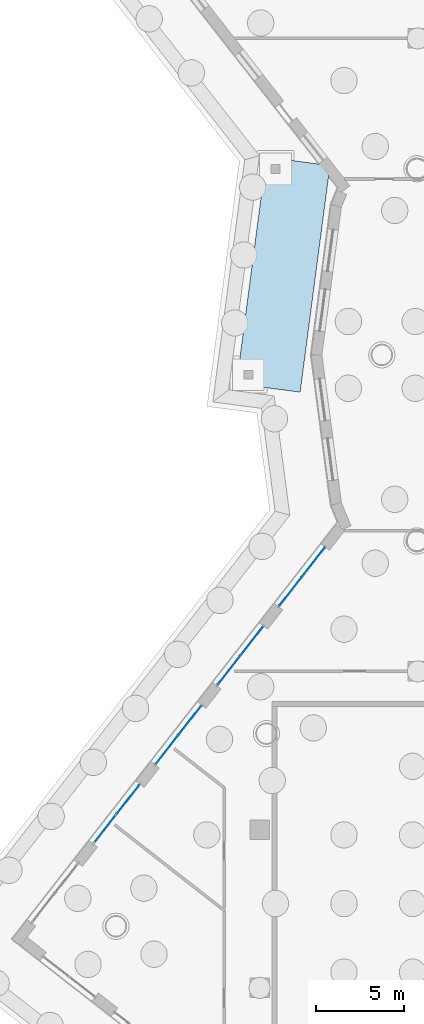
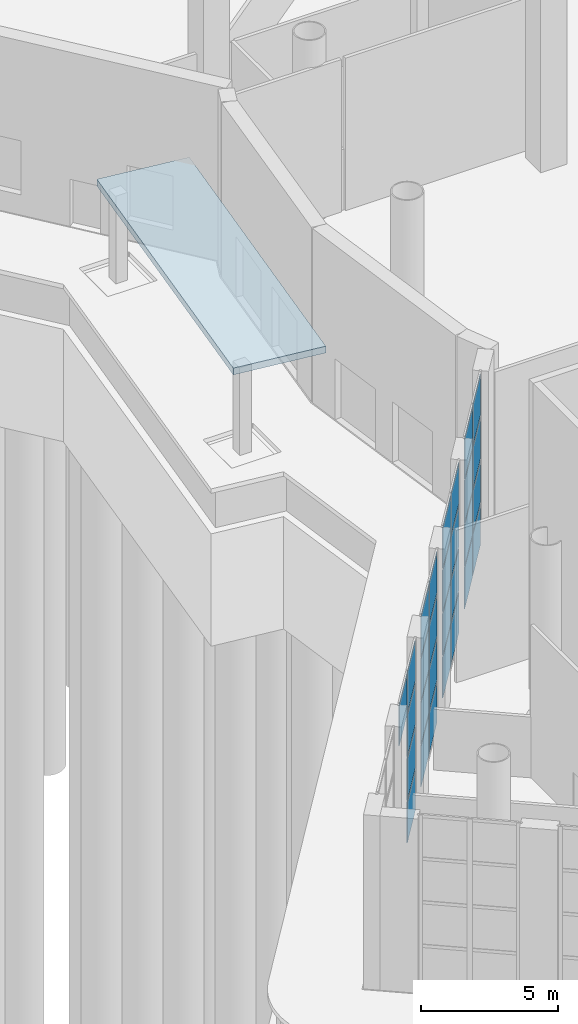
# One storey, part 8 of 34: 29 plates, 1 slab, 4 elements without a shape of their own.
"""IFC4 building model written with IfcOpenShell, lengths in metres."""

from ifc_helpers import new_model, si_unit, direction, frame, origin, origin_2d, place, context, subcontext, project, spatial, polyline, rectangle, outline, extrude, material, layer, layer_set, type_object, element, aggregate, save


model = new_model("IFC4")

# Units and contexts
model_context = context("Model", 3, precision=1e-05, world=origin(), true_north=direction((0.0, 1.0)))
body_context = subcontext(model_context, "Body", "Model", "MODEL_VIEW")
ifc_project = project(units=[si_unit("LENGTHUNIT", "METRE"), si_unit("AREAUNIT", "SQUARE_METRE"), si_unit("VOLUMEUNIT", "CUBIC_METRE"), si_unit("PLANEANGLEUNIT", "RADIAN"), si_unit("MASSUNIT", "GRAM", prefix="KILO")], contexts=[model_context])

# Site, building, storey
site_placement = place(None, origin())
site = spatial("IfcSite", under=ifc_project, at=site_placement, CompositionType="ELEMENT")
building_placement = place(site_placement, origin())
building = spatial("IfcBuilding", under=site, at=building_placement, Name="Tarsis Ring Headquarters", CompositionType="ELEMENT")
storey_placement = place(building_placement, origin())
storey = spatial("IfcBuildingStorey", under=building, at=storey_placement, Name="L00", CompositionType="ELEMENT", Elevation=0.0)

# Slab
ifc_material_1 = material(Name="Concrete C40/50", Category="concrete")
ifc_layer = layer(ifc_material_1, 0.300048828125)
ifc_layer_set = layer_set([ifc_layer], Name="PO-CANOPY")
slab_type = type_object("IfcSlabType", Name="PO-CANOPY", PredefinedType="ROOF", material=ifc_layer_set)
slab_placement = place(storey_placement, frame((0.0, 0.0, 3.699951171875)))
element("IfcSlab", 1, at=slab_placement, inside=storey, type_object=slab_type, Name="Main entrance canopy", PredefinedType="ROOF", context=body_context, shape_type="SweptSolid", body=[
    extrude(outline(polyline([(-31.995849609375, 10.768310546875), (-35.614501953125, 11.244873046875), (-37.311279296875, -1.64404296875), (-33.692626953125, -2.120361328125), (-31.995849609375, 10.768310546875)])), origin(), (0.0, 0.0, 1.0), 0.300048828125),
])

# Curtain wall, plates
ifc_material_2 = material(Name="Aluminium and glass", Category="aluminium")
curtain_wall_type = type_object("IfcCurtainWallType", Name="PO-CW1", PredefinedType="NOTDEFINED", material=ifc_material_2)
curtain_wall_1_placement = place(storey_placement, origin())
curtain_wall_1 = element("IfcCurtainWall", 2, at=curtain_wall_1_placement, inside=storey, type_object=curtain_wall_type, Name="Shopfront curtain wall 6.1", PredefinedType="NOTDEFINED")
ifc_material_3 = material(Name="Insulated glass", Category="glass")
plate_type = type_object("IfcPlateType", Name="PO-CW1P", PredefinedType="CURTAIN_PANEL", material=ifc_material_3)
plate_1_placement = place(storey_placement, frame((-32.94189453125, -11.789794921875, 0.080078125), z_axis=(0.0, 0.0, 1.0), x_axis=(-0.615661504964, -0.788010730451, 0.0)))
plate_1 = element("IfcPlate", 3, at=plate_1_placement, type_object=plate_type, Name="CW-P1 panel 1.1", PredefinedType="CURTAIN_PANEL", context=body_context, shape_type="SweptSolid", body=[
    extrude(rectangle(XDim=2.032470703125, YDim=0.028076171875, at=origin_2d()), origin(), (0.0, 0.0, 1.0), 1.8173828125),
])
plate_2_placement = place(storey_placement, frame((-32.94189453125, -11.789794921875, 1.9775390625), z_axis=(0.0, 0.0, 1.0), x_axis=(-0.615661504964, -0.788010730451, 0.0)))
plate_2 = element("IfcPlate", 4, at=plate_2_placement, type_object=plate_type, Name="CW-P1 panel 1.2", PredefinedType="CURTAIN_PANEL", context=body_context, shape_type="SweptSolid", body=[
    extrude(rectangle(XDim=2.032470703125, YDim=0.028076171875, at=origin_2d()), origin(), (0.0, 0.0, 1.0), 1.857421875),
])
plate_3_placement = place(storey_placement, frame((-32.94189453125, -11.789794921875, 3.9150390625), z_axis=(0.0, 0.0, 1.0), x_axis=(-0.615661504964, -0.788010730451, 0.0)))
plate_3 = element("IfcPlate", 5, at=plate_3_placement, type_object=plate_type, Name="CW-P1 panel 1.3", PredefinedType="CURTAIN_PANEL", context=body_context, shape_type="SweptSolid", body=[
    extrude(rectangle(XDim=2.032470703125, YDim=0.028076171875, at=origin_2d()), origin(), (0.0, 0.0, 1.0), 1.857421875),
])
plate_4_placement = place(storey_placement, frame((-32.94189453125, -11.789794921875, 5.8525390625), z_axis=(0.0, 0.0, 1.0), x_axis=(-0.615661504964, -0.788010730451, 0.0)))
plate_4 = element("IfcPlate", 6, at=plate_4_placement, type_object=plate_type, Name="CW-P1 panel 1.4", PredefinedType="CURTAIN_PANEL", context=body_context, shape_type="SweptSolid", body=[
    extrude(rectangle(XDim=2.032470703125, YDim=0.028076171875, at=origin_2d()), origin(), (0.0, 0.0, 1.0), 1.8173828125),
])
plate_5_placement = place(storey_placement, frame((-34.242431640625, -13.45458984375, 0.080078125), z_axis=(0.0, 0.0, 1.0), x_axis=(-0.615661504964, -0.788010730451, 0.0)))
plate_5 = element("IfcPlate", 7, at=plate_5_placement, type_object=plate_type, Name="CW-P1 panel 2.1", PredefinedType="CURTAIN_PANEL", context=body_context, shape_type="SweptSolid", body=[
    extrude(rectangle(XDim=2.032470703125, YDim=0.028076171875, at=origin_2d()), origin(), (0.0, 0.0, 1.0), 1.8173828125),
])
plate_6_placement = place(storey_placement, frame((-34.242431640625, -13.45458984375, 1.9775390625), z_axis=(0.0, 0.0, 1.0), x_axis=(-0.615661504964, -0.788010730451, 0.0)))
plate_6 = element("IfcPlate", 8, at=plate_6_placement, type_object=plate_type, Name="CW-P1 panel 2.2", PredefinedType="CURTAIN_PANEL", context=body_context, shape_type="SweptSolid", body=[
    extrude(rectangle(XDim=2.032470703125, YDim=0.028076171875, at=origin_2d()), origin(), (0.0, 0.0, 1.0), 1.857421875),
])
plate_7_placement = place(storey_placement, frame((-34.242431640625, -13.45458984375, 3.9150390625), z_axis=(0.0, 0.0, 1.0), x_axis=(-0.615661504964, -0.788010730451, 0.0)))
plate_7 = element("IfcPlate", 9, at=plate_7_placement, type_object=plate_type, Name="CW-P1 panel 2.3", PredefinedType="CURTAIN_PANEL", context=body_context, shape_type="SweptSolid", body=[
    extrude(rectangle(XDim=2.032470703125, YDim=0.028076171875, at=origin_2d()), origin(), (0.0, 0.0, 1.0), 1.857421875),
])
plate_8_placement = place(storey_placement, frame((-34.242431640625, -13.45458984375, 5.8525390625), z_axis=(0.0, 0.0, 1.0), x_axis=(-0.615661504964, -0.788010730451, 0.0)))
plate_8 = element("IfcPlate", 10, at=plate_8_placement, type_object=plate_type, Name="CW-P1 panel 2.4", PredefinedType="CURTAIN_PANEL", context=body_context, shape_type="SweptSolid", body=[
    extrude(rectangle(XDim=2.032470703125, YDim=0.028076171875, at=origin_2d()), origin(), (0.0, 0.0, 1.0), 1.8173828125),
])
aggregate(curtain_wall_1, [plate_1, plate_2, plate_3, plate_4, plate_5, plate_6, plate_7, plate_8])

curtain_wall_2_placement = place(storey_placement, origin())
curtain_wall_2 = element("IfcCurtainWall", 11, at=curtain_wall_2_placement, inside=storey, type_object=curtain_wall_type, Name="Shopfront curtain wall 6.2", PredefinedType="NOTDEFINED")
plate_9_placement = place(storey_placement, frame((-36.4541015625, -16.285400390625, 0.080078125), z_axis=(0.0, 0.0, 1.0), x_axis=(-0.615661392269, -0.788010818498, 0.0)))
plate_9 = element("IfcPlate", 12, at=plate_9_placement, type_object=plate_type, Name="CW-P1 panel 1.1", PredefinedType="CURTAIN_PANEL", context=body_context, shape_type="SweptSolid", body=[
    extrude(rectangle(XDim=2.032470703125, YDim=0.028076171875, at=origin_2d()), origin(), (0.0, 0.0, 1.0), 1.8173828125),
])
plate_10_placement = place(storey_placement, frame((-36.4541015625, -16.285400390625, 1.9775390625), z_axis=(0.0, 0.0, 1.0), x_axis=(-0.615661392269, -0.788010818498, 0.0)))
plate_10 = element("IfcPlate", 13, at=plate_10_placement, type_object=plate_type, Name="CW-P1 panel 1.2", PredefinedType="CURTAIN_PANEL", context=body_context, shape_type="SweptSolid", body=[
    extrude(rectangle(XDim=2.032470703125, YDim=0.028076171875, at=origin_2d()), origin(), (0.0, 0.0, 1.0), 1.857421875),
])
plate_11_placement = place(storey_placement, frame((-36.4541015625, -16.285400390625, 3.9150390625), z_axis=(0.0, 0.0, 1.0), x_axis=(-0.615661392269, -0.788010818498, 0.0)))
plate_11 = element("IfcPlate", 14, at=plate_11_placement, type_object=plate_type, Name="CW-P1 panel 1.3", PredefinedType="CURTAIN_PANEL", context=body_context, shape_type="SweptSolid", body=[
    extrude(rectangle(XDim=2.032470703125, YDim=0.028076171875, at=origin_2d()), origin(), (0.0, 0.0, 1.0), 1.857421875),
])
plate_12_placement = place(storey_placement, frame((-36.4541015625, -16.285400390625, 5.8525390625), z_axis=(0.0, 0.0, 1.0), x_axis=(-0.615661392269, -0.788010818498, 0.0)))
plate_12 = element("IfcPlate", 15, at=plate_12_placement, type_object=plate_type, Name="CW-P1 panel 1.4", PredefinedType="CURTAIN_PANEL", context=body_context, shape_type="SweptSolid", body=[
    extrude(rectangle(XDim=2.032470703125, YDim=0.028076171875, at=origin_2d()), origin(), (0.0, 0.0, 1.0), 1.8173828125),
])
plate_13_placement = place(storey_placement, frame((-37.754638671875, -17.949951171875, 0.080078125), z_axis=(0.0, 0.0, 1.0), x_axis=(-0.615661392269, -0.788010818498, 0.0)))
plate_13 = element("IfcPlate", 16, at=plate_13_placement, type_object=plate_type, Name="CW-P1 panel 2.1", PredefinedType="CURTAIN_PANEL", context=body_context, shape_type="SweptSolid", body=[
    extrude(rectangle(XDim=2.032470703125, YDim=0.028076171875, at=origin_2d()), origin(), (0.0, 0.0, 1.0), 1.8173828125),
])
plate_14_placement = place(storey_placement, frame((-37.754638671875, -17.949951171875, 1.9775390625), z_axis=(0.0, 0.0, 1.0), x_axis=(-0.615661392269, -0.788010818498, 0.0)))
plate_14 = element("IfcPlate", 17, at=plate_14_placement, type_object=plate_type, Name="CW-P1 panel 2.2", PredefinedType="CURTAIN_PANEL", context=body_context, shape_type="SweptSolid", body=[
    extrude(rectangle(XDim=2.032470703125, YDim=0.028076171875, at=origin_2d()), origin(), (0.0, 0.0, 1.0), 1.857421875),
])
plate_15_placement = place(storey_placement, frame((-37.754638671875, -17.949951171875, 3.9150390625), z_axis=(0.0, 0.0, 1.0), x_axis=(-0.615661392269, -0.788010818498, 0.0)))
plate_15 = element("IfcPlate", 18, at=plate_15_placement, type_object=plate_type, Name="CW-P1 panel 2.3", PredefinedType="CURTAIN_PANEL", context=body_context, shape_type="SweptSolid", body=[
    extrude(rectangle(XDim=2.032470703125, YDim=0.028076171875, at=origin_2d()), origin(), (0.0, 0.0, 1.0), 1.857421875),
])
plate_16_placement = place(storey_placement, frame((-37.754638671875, -17.949951171875, 5.8525390625), z_axis=(0.0, 0.0, 1.0), x_axis=(-0.615661392269, -0.788010818498, 0.0)))
plate_16 = element("IfcPlate", 19, at=plate_16_placement, type_object=plate_type, Name="CW-P1 panel 2.4", PredefinedType="CURTAIN_PANEL", context=body_context, shape_type="SweptSolid", body=[
    extrude(rectangle(XDim=2.032470703125, YDim=0.028076171875, at=origin_2d()), origin(), (0.0, 0.0, 1.0), 1.8173828125),
])
aggregate(curtain_wall_2, [plate_9, plate_10, plate_11, plate_12, plate_13, plate_14, plate_15, plate_16])

curtain_wall_3_placement = place(storey_placement, origin())
curtain_wall_3 = element("IfcCurtainWall", 20, at=curtain_wall_3_placement, inside=storey, type_object=curtain_wall_type, Name="Shopfront curtain wall 6.3", PredefinedType="NOTDEFINED")
plate_17_placement = place(storey_placement, frame((-39.966552734375, -20.781005859375, 0.080078125), z_axis=(0.0, 0.0, 1.0), x_axis=(-0.615661504964, -0.788010730451, 0.0)))
plate_17 = element("IfcPlate", 21, at=plate_17_placement, type_object=plate_type, Name="CW-P1 panel 1.1", PredefinedType="CURTAIN_PANEL", context=body_context, shape_type="SweptSolid", body=[
    extrude(rectangle(XDim=2.032470703125, YDim=0.028076171875, at=origin_2d()), origin(), (0.0, 0.0, 1.0), 1.8173828125),
])
plate_18_placement = place(storey_placement, frame((-39.966552734375, -20.781005859375, 1.9775390625), z_axis=(0.0, 0.0, 1.0), x_axis=(-0.615661504964, -0.788010730451, 0.0)))
plate_18 = element("IfcPlate", 22, at=plate_18_placement, type_object=plate_type, Name="CW-P1 panel 1.2", PredefinedType="CURTAIN_PANEL", context=body_context, shape_type="SweptSolid", body=[
    extrude(rectangle(XDim=2.032470703125, YDim=0.028076171875, at=origin_2d()), origin(), (0.0, 0.0, 1.0), 1.857421875),
])
plate_19_placement = place(storey_placement, frame((-39.966552734375, -20.781005859375, 3.9150390625), z_axis=(0.0, 0.0, 1.0), x_axis=(-0.615661504964, -0.788010730451, 0.0)))
plate_19 = element("IfcPlate", 23, at=plate_19_placement, type_object=plate_type, Name="CW-P1 panel 1.3", PredefinedType="CURTAIN_PANEL", context=body_context, shape_type="SweptSolid", body=[
    extrude(rectangle(XDim=2.032470703125, YDim=0.028076171875, at=origin_2d()), origin(), (0.0, 0.0, 1.0), 1.857421875),
])
plate_20_placement = place(storey_placement, frame((-39.966552734375, -20.781005859375, 5.8525390625), z_axis=(0.0, 0.0, 1.0), x_axis=(-0.615661504964, -0.788010730451, 0.0)))
plate_20 = element("IfcPlate", 24, at=plate_20_placement, type_object=plate_type, Name="CW-P1 panel 1.4", PredefinedType="CURTAIN_PANEL", context=body_context, shape_type="SweptSolid", body=[
    extrude(rectangle(XDim=2.032470703125, YDim=0.028076171875, at=origin_2d()), origin(), (0.0, 0.0, 1.0), 1.8173828125),
])
plate_21_placement = place(storey_placement, frame((-41.26708984375, -22.445556640625, 0.080078125), z_axis=(0.0, 0.0, 1.0), x_axis=(-0.615661504964, -0.788010730451, 0.0)))
plate_21 = element("IfcPlate", 25, at=plate_21_placement, type_object=plate_type, Name="CW-P1 panel 2.1", PredefinedType="CURTAIN_PANEL", context=body_context, shape_type="SweptSolid", body=[
    extrude(rectangle(XDim=2.032470703125, YDim=0.028076171875, at=origin_2d()), origin(), (0.0, 0.0, 1.0), 1.8173828125),
])
plate_22_placement = place(storey_placement, frame((-41.26708984375, -22.445556640625, 1.9775390625), z_axis=(0.0, 0.0, 1.0), x_axis=(-0.615661504964, -0.788010730451, 0.0)))
plate_22 = element("IfcPlate", 26, at=plate_22_placement, type_object=plate_type, Name="CW-P1 panel 2.2", PredefinedType="CURTAIN_PANEL", context=body_context, shape_type="SweptSolid", body=[
    extrude(rectangle(XDim=2.032470703125, YDim=0.028076171875, at=origin_2d()), origin(), (0.0, 0.0, 1.0), 1.857421875),
])
plate_23_placement = place(storey_placement, frame((-41.26708984375, -22.445556640625, 3.9150390625), z_axis=(0.0, 0.0, 1.0), x_axis=(-0.615661504964, -0.788010730451, 0.0)))
plate_23 = element("IfcPlate", 27, at=plate_23_placement, type_object=plate_type, Name="CW-P1 panel 2.3", PredefinedType="CURTAIN_PANEL", context=body_context, shape_type="SweptSolid", body=[
    extrude(rectangle(XDim=2.032470703125, YDim=0.028076171875, at=origin_2d()), origin(), (0.0, 0.0, 1.0), 1.857421875),
])
plate_24_placement = place(storey_placement, frame((-41.26708984375, -22.445556640625, 5.8525390625), z_axis=(0.0, 0.0, 1.0), x_axis=(-0.615661504964, -0.788010730451, 0.0)))
plate_24 = element("IfcPlate", 28, at=plate_24_placement, type_object=plate_type, Name="CW-P1 panel 2.4", PredefinedType="CURTAIN_PANEL", context=body_context, shape_type="SweptSolid", body=[
    extrude(rectangle(XDim=2.032470703125, YDim=0.028076171875, at=origin_2d()), origin(), (0.0, 0.0, 1.0), 1.8173828125),
])
aggregate(curtain_wall_3, [plate_17, plate_18, plate_19, plate_20, plate_21, plate_22, plate_23, plate_24])

curtain_wall_4_placement = place(storey_placement, origin())
curtain_wall_4 = element("IfcCurtainWall", 29, at=curtain_wall_4_placement, inside=storey, type_object=curtain_wall_type, Name="Shopfront curtain wall 6.4", PredefinedType="NOTDEFINED")
plate_25_placement = place(storey_placement, frame((-43.478759765625, -25.2763671875, 0.080078125), z_axis=(0.0, 0.0, 1.0), x_axis=(-0.615661392269, -0.788010818498, 0.0)))
plate_25 = element("IfcPlate", 30, at=plate_25_placement, type_object=plate_type, Name="CW-P1 panel 1.1", PredefinedType="CURTAIN_PANEL", context=body_context, shape_type="SweptSolid", body=[
    extrude(rectangle(XDim=2.032470703125, YDim=0.028076171875, at=origin_2d()), origin(), (0.0, 0.0, 1.0), 1.8173828125),
])
plate_26_placement = place(storey_placement, frame((-43.478759765625, -25.2763671875, 1.9775390625), z_axis=(0.0, 0.0, 1.0), x_axis=(-0.615661392269, -0.788010818498, 0.0)))
plate_26 = element("IfcPlate", 31, at=plate_26_placement, type_object=plate_type, Name="CW-P1 panel 1.2", PredefinedType="CURTAIN_PANEL", context=body_context, shape_type="SweptSolid", body=[
    extrude(rectangle(XDim=2.032470703125, YDim=0.028076171875, at=origin_2d()), origin(), (0.0, 0.0, 1.0), 1.857421875),
])
plate_27_placement = place(storey_placement, frame((-43.478759765625, -25.2763671875, 3.9150390625), z_axis=(0.0, 0.0, 1.0), x_axis=(-0.615661392269, -0.788010818498, 0.0)))
plate_27 = element("IfcPlate", 32, at=plate_27_placement, type_object=plate_type, Name="CW-P1 panel 1.3", PredefinedType="CURTAIN_PANEL", context=body_context, shape_type="SweptSolid", body=[
    extrude(rectangle(XDim=2.032470703125, YDim=0.028076171875, at=origin_2d()), origin(), (0.0, 0.0, 1.0), 1.857421875),
])
plate_28_placement = place(storey_placement, frame((-43.478759765625, -25.2763671875, 5.8525390625), z_axis=(0.0, 0.0, 1.0), x_axis=(-0.615661392269, -0.788010818498, 0.0)))
plate_28 = element("IfcPlate", 33, at=plate_28_placement, type_object=plate_type, Name="CW-P1 panel 1.4", PredefinedType="CURTAIN_PANEL", context=body_context, shape_type="SweptSolid", body=[
    extrude(rectangle(XDim=2.032470703125, YDim=0.028076171875, at=origin_2d()), origin(), (0.0, 0.0, 1.0), 1.8173828125),
])
plate_29_placement = place(storey_placement, frame((-44.779296875, -26.941162109375, 5.8525390625), z_axis=(0.0, 0.0, 1.0), x_axis=(-0.615661392269, -0.788010818498, 0.0)))
plate_29 = element("IfcPlate", 34, at=plate_29_placement, type_object=plate_type, Name="CW-P1 panel 2.4", PredefinedType="CURTAIN_PANEL", context=body_context, shape_type="SweptSolid", body=[
    extrude(rectangle(XDim=2.032470703125, YDim=0.028076171875, at=origin_2d()), origin(), (0.0, 0.0, 1.0), 1.8173828125),
])
aggregate(curtain_wall_4, [plate_25, plate_26, plate_27, plate_28, plate_29])

save(model, "model.ifc")
